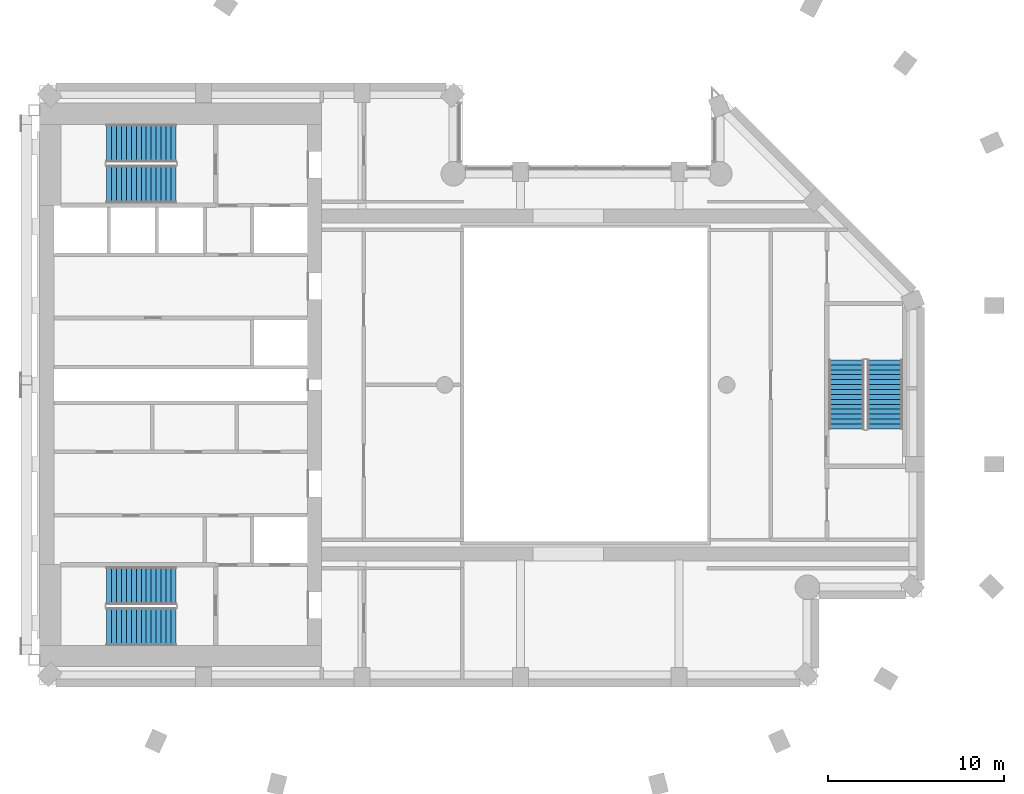
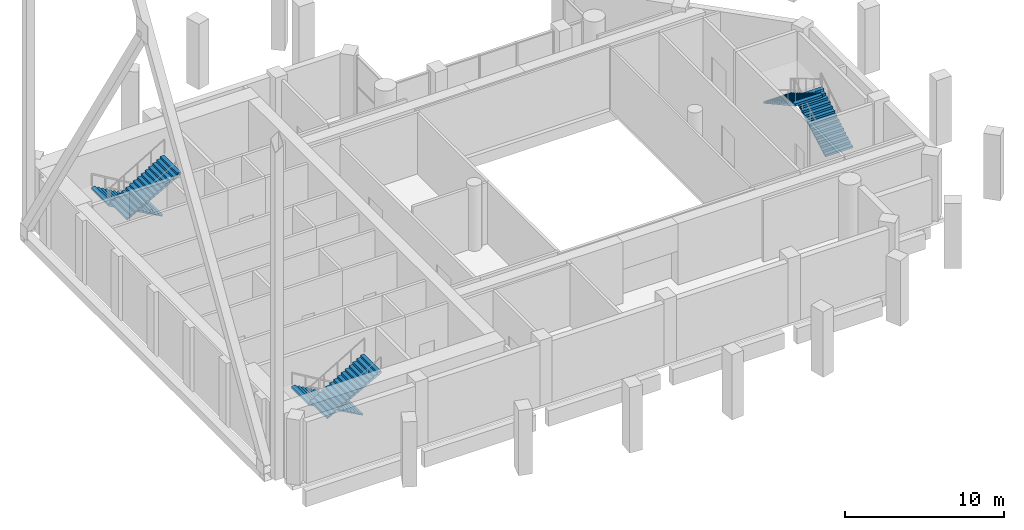
# One storey, part 9 of 12: 6 stair flights, 3 elements without a shape of their own.
"""IFC4 building model written with IfcOpenShell, lengths in metres."""

import ifcopenshell
import ifcopenshell.guid

model = None  # the IFC model being written
_history = None  # IfcOwnerHistory: only IFC2X3 demands one
_inside = {}  # id of a spatial element -> (the spatial element, [elements in it])
_under = {}  # id of a project, library or spatial element -> (it, [spatial elements below it])
_declared = {}  # id of a project -> (the project, [libraries it declares])
_typed = {}  # id of a type object -> (the type object, [elements of that type])
_made_of = {}  # id of a material, layer set ... -> (it, [elements and type objects made of it])


def new_model(schema):
    """Start an empty IFC model of exactly this schema.

    Asked for "IFC4X3", IfcOpenShell would pick the latest addendum, in which some entities
    have other attributes; the version numbers below select the first issue.
    IFC2X3 requires an IfcOwnerHistory on every rooted entity: one is made here for all.
    """
    global model, _history
    if schema == "IFC4X3":
        model = ifcopenshell.file(schema_version=(4, 3, 0, 0))
    else:
        model = ifcopenshell.file(schema=schema)
    _inside.clear()
    _under.clear()
    _declared.clear()
    _typed.clear()
    _made_of.clear()
    _history = None
    if model.schema == "IFC2X3":
        org = make("IfcOrganization", Name="unknown")
        user = make(
            "IfcPersonAndOrganization",
            ThePerson=make("IfcPerson", FamilyName="unknown"),
            TheOrganization=org,
        )
        app = make(
            "IfcApplication",
            ApplicationDeveloper=org,
            Version="unknown",
            ApplicationFullName="unknown",
            ApplicationIdentifier="unknown",
        )
        _history = make(
            "IfcOwnerHistory",
            OwningUser=user,
            OwningApplication=app,
            ChangeAction="ADDED",
            CreationDate=0,
        )
    return model


def make(cls, **values):
    """One entity of the class cls with the attributes given. An attribute that is None is left unset."""
    return model.create_entity(
        cls, **{name: value for name, value in values.items() if value is not None}
    )


def rooted(cls, **values):
    """An entity with a GlobalId (a new one), such as an element, a storey or a relation."""
    return make(cls, GlobalId=ifcopenshell.guid.new(), OwnerHistory=_history, **values)


def si_unit(unit_type, name, prefix=None):
    """IfcSIUnit, for example si_unit("LENGTHUNIT", "METRE", prefix="MILLI")."""
    return make("IfcSIUnit", UnitType=unit_type, Prefix=prefix, Name=name)


def assignment(units):
    """IfcUnitAssignment: the units of a project."""
    return None if units is None else make("IfcUnitAssignment", Units=units)


def point(xyz):
    """IfcCartesianPoint."""
    return None if xyz is None else make("IfcCartesianPoint", Coordinates=xyz)


def direction(xyz):
    """IfcDirection."""
    return None if xyz is None else make("IfcDirection", DirectionRatios=xyz)


def frame(location, z_axis=None, x_axis=None):
    """IfcAxis2Placement3D, a coordinate frame: its origin and axes. An axis left out is left unset."""
    return make(
        "IfcAxis2Placement3D",
        Location=point(location),
        Axis=direction(z_axis),
        RefDirection=direction(x_axis),
    )


def origin():
    """The frame at (0, 0, 0) with its axes left unset."""
    return frame((0.0, 0.0, 0.0))


def place(relative_to, where):
    """IfcLocalPlacement: puts the frame where relative to a parent placement (None: the world)."""
    return make(
        "IfcLocalPlacement", PlacementRelTo=relative_to, RelativePlacement=where
    )


def context(
    kind, dimensions, precision=None, world=None, true_north=None, identifier=None
):
    """IfcGeometricRepresentationContext, for example the 3D "Model" context."""
    return make(
        "IfcGeometricRepresentationContext",
        ContextIdentifier=identifier,
        ContextType=kind,
        CoordinateSpaceDimension=dimensions,
        Precision=precision,
        WorldCoordinateSystem=world,
        TrueNorth=true_north,
    )


def subcontext(parent, identifier, kind, view, scale=None):
    """IfcGeometricRepresentationSubContext, for example "Body" below "Model"."""
    return make(
        "IfcGeometricRepresentationSubContext",
        ContextIdentifier=identifier,
        ContextType=kind,
        ParentContext=parent,
        TargetScale=scale,
        TargetView=view,
    )


def project(units=None, contexts=None):
    """IfcProject with its units and contexts."""
    return rooted(
        "IfcProject",
        Name="project",
        RepresentationContexts=contexts,
        UnitsInContext=assignment(units),
    )


def spatial(cls, under=None, at=None, **own):
    """A site, building, storey or space (cls), placed at a placement, below another one or the project."""
    s = rooted(cls, ObjectPlacement=at, **own)
    if under is not None:
        _under.setdefault(under.id(), (under, []))[1].append(s)
    return s


def point_list(points):
    """IfcCartesianPointList2D or 3D."""
    cls = (
        "IfcCartesianPointList2D" if len(points[0]) == 2 else "IfcCartesianPointList3D"
    )
    return make(cls, CoordList=points)


def triangles(points, corners, closed=None, point_numbers=None):
    """IfcTriangulatedFaceSet: each triangle names its three corners, points numbered from 1."""
    return make(
        "IfcTriangulatedFaceSet",
        Coordinates=point_list(points),
        Closed=closed,
        CoordIndex=corners,
        PnIndex=point_numbers,
    )


def shape(context_of_items, identifier, shape_type, items):
    """IfcShapeRepresentation: the items that make up one representation, for example the "Body"."""
    return make(
        "IfcShapeRepresentation",
        ContextOfItems=context_of_items,
        RepresentationIdentifier=identifier,
        RepresentationType=shape_type,
        Items=items,
    )


def material(Name=None, Category=None):
    """IfcMaterial."""
    return make("IfcMaterial", Name=Name, Category=Category)


def made_of(thing, what):
    """Note that an element or type object is made of a material, layer set ...; save() writes the relation."""
    if what is not None:
        _made_of.setdefault(what.id(), (what, []))[1].append(thing)
    return thing


def type_object(cls, material=None, **own):
    """A type object (cls), such as IfcWallType, which elements share."""
    return made_of(rooted(cls, **own), material)


def element(
    cls,
    number,
    at=None,
    inside=None,
    cuts=None,
    type_object=None,
    material=None,
    context=None,
    identifier="Body",
    shape_type=None,
    held_by="IfcProductDefinitionShape",
    body=None,
    shapes=None,
    **own,
):
    """One element of the class cls, such as IfcWall. Its Tag is "e" and its number.

    at: its placement. inside: the storey or other place that contains it. cuts: it is an
    opening in that element (IfcRelVoidsElement). A single representation is given by context,
    identifier, shape_type and body (its items); several are given by shapes. held_by: the class
    of the entity that holds the representations. save() writes the other relations.
    """
    e = rooted(cls, Tag="e%d" % number, ObjectPlacement=at, **own)
    if body is not None:
        shapes = [shape(context, identifier, shape_type, body)]
    if shapes is not None:
        e.Representation = make(held_by, Representations=shapes)
    if inside is not None:
        _inside.setdefault(inside.id(), (inside, []))[1].append(e)
    if cuts is not None:
        rooted(
            "IfcRelVoidsElement", RelatingBuildingElement=cuts, RelatedOpeningElement=e
        )
    if type_object is not None:
        _typed.setdefault(type_object.id(), (type_object, []))[1].append(e)
    return made_of(e, material)


def aggregate(whole, parts):
    """IfcRelAggregates: a whole, such as a stair, and the parts it consists of."""
    return rooted("IfcRelAggregates", RelatingObject=whole, RelatedObjects=parts)


def save(model, path):
    """Write the relations noted so far, then the file.

    IfcRelAggregates (storeys below a building ...), IfcRelContainedInSpatialStructure (elements
    in a storey), IfcRelDefinesByType, IfcRelAssociatesMaterial and IfcRelDeclares: one each for
    every whole, place, type object, material and project.
    """
    for whole, parts in _under.values():
        aggregate(whole, parts)
    for where, things in _inside.values():
        rooted(
            "IfcRelContainedInSpatialStructure",
            RelatedElements=things,
            RelatingStructure=where,
        )
    for kind, things in _typed.values():
        rooted("IfcRelDefinesByType", RelatedObjects=things, RelatingType=kind)
    for what, things in _made_of.values():
        rooted("IfcRelAssociatesMaterial", RelatedObjects=things, RelatingMaterial=what)
    for by, libraries in _declared.values():
        rooted("IfcRelDeclares", RelatingContext=by, RelatedDefinitions=libraries)
    model.write(path)


model = new_model("IFC4")

# Units and contexts
model_context = context("Model", 3, precision=1e-05, world=origin(), true_north=direction((0.0, 1.0)))
body_context = subcontext(model_context, "Body", "Model", "MODEL_VIEW")
ifc_project = project(units=[si_unit("LENGTHUNIT", "METRE"), si_unit("AREAUNIT", "SQUARE_METRE"), si_unit("VOLUMEUNIT", "CUBIC_METRE"), si_unit("PLANEANGLEUNIT", "RADIAN"), si_unit("MASSUNIT", "GRAM", prefix="KILO")], contexts=[model_context])

# Site, building, storey
site_placement = place(None, origin())
site = spatial("IfcSite", under=ifc_project, at=site_placement, CompositionType="ELEMENT")
building_placement = place(site_placement, origin())
building = spatial("IfcBuilding", under=site, at=building_placement, Name="Cypress Arch Tower", CompositionType="ELEMENT")
storey_placement = place(building_placement, frame((0.0, 0.0, 238.39990234375)))
storey = spatial("IfcBuildingStorey", under=building, at=storey_placement, Name="L53", CompositionType="ELEMENT", Elevation=238.39990234375)

# Stair, stair flights
ifc_material_1 = material(Name="Concrete C40/50", Category="concrete")
stair_type_1 = type_object("IfcStairType", Name="Exit stair ES1667-200", PredefinedType="HALF_TURN_STAIR", material=ifc_material_1)
stair_1_placement = place(storey_placement, origin())
stair_1 = element("IfcStair", 1, at=stair_1_placement, inside=storey, type_object=stair_type_1, Name="L53 Exit stair C", PredefinedType="HALF_TURN_STAIR")
ifc_material_2 = material(Name="Concrete C40/50", Category="concrete")
stair_flight_type_1 = type_object("IfcStairFlightType", Name="Exit stair flight ES1667-200", PredefinedType="STRAIGHT", material=ifc_material_2)
stair_flight_1_placement = place(storey_placement, frame((18.0, -2.5, 0.0), z_axis=(0.0, 0.0, 1.0), x_axis=(0.0, 1.0, 0.0)))
stair_flight_1 = element("IfcStairFlight", 2, at=stair_flight_1_placement, type_object=stair_flight_type_1, Name="C flight 1", NumberOfRisers=15, NumberOfTreads=14, PredefinedType="STRAIGHT", RiserHeight=0.166666667, TreadLength=0.28, context=body_context, shape_type="Tessellation", body=[
    triangles([(0.0, -1.0, 0.0), (0.0, -1.0, 0.166748046875), (0.280029296875, -1.0, 0.166748046875), (0.280029296875, -1.0, 0.333251953125), (0.56005859375, -1.0, 0.333251953125), (0.56005859375, -1.0, 0.5), (0.840087890625, -1.0, 0.5), (0.840087890625, -1.0, 0.666748046875), (1.1201171875, -1.0, 0.666748046875), (1.1201171875, -1.0, 0.833251953125), (1.39990234375, -1.0, 0.833251953125), (1.39990234375, -1.0, 1.0), (1.679931640625, -1.0, 1.0), (1.679931640625, -1.0, 1.166748046875), (1.9599609375, -1.0, 1.166748046875), (1.9599609375, -1.0, 1.333251953125), (2.239990234375, -1.0, 1.333251953125), (2.239990234375, -1.0, 1.5), (2.52001953125, -1.0, 1.5), (2.52001953125, -1.0, 1.666748046875), (2.800048828125, -1.0, 1.666748046875), (2.800048828125, -1.0, 1.833251953125), (3.080078125, -1.0, 1.833251953125), (3.080078125, -1.0, 2.0), (3.360107421875, -1.0, 2.0), (3.360107421875, -1.0, 2.166748046875), (3.639892578125, -1.0, 2.166748046875), (3.639892578125, -1.0, 2.333251953125), (3.919921875, -1.0, 2.333251953125), (3.919921875, -1.0, 2.158935546875), (3.919921875, 1.0, 2.158935546875), (3.919921875, 1.0, 2.333251953125), (3.639892578125, 1.0, 2.333251953125), (3.639892578125, 1.0, 2.166748046875), (3.360107421875, 1.0, 2.166748046875), (3.360107421875, 1.0, 2.0), (3.080078125, 1.0, 2.0), (3.080078125, 1.0, 1.833251953125), (2.800048828125, 1.0, 1.833251953125), (2.800048828125, 1.0, 1.666748046875), (2.52001953125, 1.0, 1.666748046875), (2.52001953125, 1.0, 1.5), (2.239990234375, 1.0, 1.5), (2.239990234375, 1.0, 1.333251953125), (1.9599609375, 1.0, 1.333251953125), (1.9599609375, 1.0, 1.166748046875), (1.679931640625, 1.0, 1.166748046875), (1.679931640625, 1.0, 1.0), (1.39990234375, 1.0, 1.0), (1.39990234375, 1.0, 0.833251953125), (1.1201171875, 1.0, 0.833251953125), (1.1201171875, 1.0, 0.666748046875), (0.840087890625, 1.0, 0.666748046875), (0.840087890625, 1.0, 0.5), (0.56005859375, 1.0, 0.5), (0.56005859375, 1.0, 0.333251953125), (0.280029296875, 1.0, 0.333251953125), (0.280029296875, 1.0, 0.166748046875), (0.0, 1.0, 0.166748046875), (0.0, 1.0, 0.0)], [[30, 29, 28], [27, 26, 25], [25, 24, 23], [21, 20, 19], [19, 18, 17], [15, 14, 13], [13, 12, 11], [9, 8, 7], [7, 6, 5], [3, 2, 1], [11, 10, 9], [23, 22, 21], [17, 16, 15], [5, 4, 3], [30, 28, 27], [30, 27, 25], [30, 25, 23], [30, 23, 21], [30, 21, 19], [30, 19, 17], [30, 17, 15], [30, 15, 13], [30, 13, 11], [30, 11, 9], [30, 9, 7], [30, 7, 5], [1, 30, 5], [5, 3, 1], [31, 33, 32], [34, 36, 35], [36, 38, 37], [40, 42, 41], [42, 44, 43], [46, 48, 47], [48, 50, 49], [52, 54, 53], [54, 56, 55], [58, 60, 59], [50, 52, 51], [38, 40, 39], [44, 46, 45], [56, 58, 57], [31, 34, 33], [31, 36, 34], [31, 38, 36], [31, 40, 38], [31, 42, 40], [31, 44, 42], [31, 46, 44], [31, 48, 46], [31, 50, 48], [31, 52, 50], [31, 54, 52], [31, 56, 54], [60, 56, 31], [56, 60, 58], [31, 32, 29], [31, 29, 30], [32, 33, 28], [32, 28, 29], [33, 34, 27], [33, 27, 28], [34, 35, 26], [34, 26, 27], [35, 36, 25], [35, 25, 26], [36, 37, 24], [36, 24, 25], [37, 38, 23], [37, 23, 24], [38, 39, 22], [38, 22, 23], [39, 40, 21], [39, 21, 22], [40, 41, 20], [40, 20, 21], [41, 42, 19], [41, 19, 20], [42, 43, 18], [42, 18, 19], [43, 44, 17], [43, 17, 18], [44, 45, 16], [44, 16, 17], [45, 46, 15], [45, 15, 16], [46, 47, 14], [46, 14, 15], [47, 48, 13], [47, 13, 14], [48, 49, 12], [48, 12, 13], [49, 50, 11], [49, 11, 12], [50, 51, 10], [50, 10, 11], [51, 52, 9], [51, 9, 10], [52, 53, 8], [52, 8, 9], [53, 54, 7], [53, 7, 8], [54, 55, 6], [54, 6, 7], [55, 56, 5], [55, 5, 6], [56, 57, 4], [56, 4, 5], [57, 58, 3], [57, 3, 4], [58, 59, 2], [58, 2, 3], [59, 60, 1], [59, 1, 2], [60, 31, 30], [60, 30, 1]], closed=True),
])
stair_flight_2_placement = place(storey_placement, frame((15.800048828125, 1.419921875, 2.5), z_axis=(0.0, 0.0, 1.0), x_axis=(0.0, -1.0, 0.0)))
stair_flight_2 = element("IfcStairFlight", 3, at=stair_flight_2_placement, type_object=stair_flight_type_1, Name="C flight 2", NumberOfRisers=15, NumberOfTreads=14, PredefinedType="STRAIGHT", RiserHeight=0.166666667, TreadLength=0.28, context=body_context, shape_type="Tessellation", body=[
    triangles([(0.0, -1.0, 0.0), (0.0, -1.0, 0.166748046875), (0.280029296875, -1.0, 0.166748046875), (0.280029296875, -1.0, 0.333251953125), (0.56005859375, -1.0, 0.333251953125), (0.56005859375, -1.0, 0.5), (0.840087890625, -1.0, 0.5), (0.840087890625, -1.0, 0.666748046875), (1.1201171875, -1.0, 0.666748046875), (1.1201171875, -1.0, 0.833251953125), (1.39990234375, -1.0, 0.833251953125), (1.39990234375, -1.0, 1.0), (1.679931640625, -1.0, 1.0), (1.679931640625, -1.0, 1.166748046875), (1.9599609375, -1.0, 1.166748046875), (1.9599609375, -1.0, 1.333251953125), (2.239990234375, -1.0, 1.333251953125), (2.239990234375, -1.0, 1.5), (2.52001953125, -1.0, 1.5), (2.52001953125, -1.0, 1.666748046875), (2.800048828125, -1.0, 1.666748046875), (2.800048828125, -1.0, 1.833251953125), (3.080078125, -1.0, 1.833251953125), (3.080078125, -1.0, 2.0), (3.360107421875, -1.0, 2.0), (3.360107421875, -1.0, 2.166748046875), (3.639892578125, -1.0, 2.166748046875), (3.639892578125, -1.0, 2.333251953125), (3.919921875, -1.0, 2.333251953125), (3.919921875, -1.0, 2.158935546875), (3.919921875, 1.0, 2.158935546875), (3.919921875, 1.0, 2.333251953125), (3.639892578125, 1.0, 2.333251953125), (3.639892578125, 1.0, 2.166748046875), (3.360107421875, 1.0, 2.166748046875), (3.360107421875, 1.0, 2.0), (3.080078125, 1.0, 2.0), (3.080078125, 1.0, 1.833251953125), (2.800048828125, 1.0, 1.833251953125), (2.800048828125, 1.0, 1.666748046875), (2.52001953125, 1.0, 1.666748046875), (2.52001953125, 1.0, 1.5), (2.239990234375, 1.0, 1.5), (2.239990234375, 1.0, 1.333251953125), (1.9599609375, 1.0, 1.333251953125), (1.9599609375, 1.0, 1.166748046875), (1.679931640625, 1.0, 1.166748046875), (1.679931640625, 1.0, 1.0), (1.39990234375, 1.0, 1.0), (1.39990234375, 1.0, 0.833251953125), (1.1201171875, 1.0, 0.833251953125), (1.1201171875, 1.0, 0.666748046875), (0.840087890625, 1.0, 0.666748046875), (0.840087890625, 1.0, 0.5), (0.56005859375, 1.0, 0.5), (0.56005859375, 1.0, 0.333251953125), (0.280029296875, 1.0, 0.333251953125), (0.280029296875, 1.0, 0.166748046875), (0.0, 1.0, 0.166748046875), (0.0, 1.0, 0.0)], [[30, 29, 28], [27, 26, 25], [25, 24, 23], [21, 20, 19], [19, 18, 17], [15, 14, 13], [13, 12, 11], [9, 8, 7], [7, 6, 5], [3, 2, 1], [11, 10, 9], [23, 22, 21], [17, 16, 15], [5, 4, 3], [30, 28, 27], [30, 27, 25], [30, 25, 23], [30, 23, 21], [30, 21, 19], [30, 19, 17], [30, 17, 15], [30, 15, 13], [30, 13, 11], [30, 11, 9], [30, 9, 7], [30, 7, 5], [1, 30, 5], [5, 3, 1], [31, 33, 32], [34, 36, 35], [36, 38, 37], [40, 42, 41], [42, 44, 43], [46, 48, 47], [48, 50, 49], [52, 54, 53], [54, 56, 55], [58, 60, 59], [50, 52, 51], [38, 40, 39], [44, 46, 45], [56, 58, 57], [31, 34, 33], [31, 36, 34], [31, 38, 36], [31, 40, 38], [31, 42, 40], [31, 44, 42], [31, 46, 44], [31, 48, 46], [31, 50, 48], [31, 52, 50], [31, 54, 52], [31, 56, 54], [60, 56, 31], [56, 60, 58], [31, 32, 29], [31, 29, 30], [32, 33, 28], [32, 28, 29], [33, 34, 27], [33, 27, 28], [34, 35, 26], [34, 26, 27], [35, 36, 25], [35, 25, 26], [36, 37, 24], [36, 24, 25], [37, 38, 23], [37, 23, 24], [38, 39, 22], [38, 22, 23], [39, 40, 21], [39, 21, 22], [40, 41, 20], [40, 20, 21], [41, 42, 19], [41, 19, 20], [42, 43, 18], [42, 18, 19], [43, 44, 17], [43, 17, 18], [44, 45, 16], [44, 16, 17], [45, 46, 15], [45, 15, 16], [46, 47, 14], [46, 14, 15], [47, 48, 13], [47, 13, 14], [48, 49, 12], [48, 12, 13], [49, 50, 11], [49, 11, 12], [50, 51, 10], [50, 10, 11], [51, 52, 9], [51, 9, 10], [52, 53, 8], [52, 8, 9], [53, 54, 7], [53, 7, 8], [54, 55, 6], [54, 6, 7], [55, 56, 5], [55, 5, 6], [56, 57, 4], [56, 4, 5], [57, 58, 3], [57, 3, 4], [58, 59, 2], [58, 2, 3], [59, 60, 1], [59, 1, 2], [60, 31, 30], [60, 30, 1]], closed=True),
])
aggregate(stair_1, [stair_flight_1, stair_flight_2])

ifc_material_3 = material(Name="Concrete C40/50", Category="concrete")
stair_type_2 = type_object("IfcStairType", Name="Exit stair ES1667-215", PredefinedType="HALF_TURN_STAIR", material=ifc_material_3)
stair_2_placement = place(storey_placement, origin())
stair_2 = element("IfcStair", 4, at=stair_2_placement, inside=storey, type_object=stair_type_2, Name="L53 Exit stair A", PredefinedType="HALF_TURN_STAIR")
ifc_material_4 = material(Name="Concrete C40/50", Category="concrete")
stair_flight_type_2 = type_object("IfcStairFlightType", Name="Exit stair flight ES1667-215", PredefinedType="STRAIGHT", material=ifc_material_4)
stair_flight_3_placement = place(storey_placement, frame((-22.27490234375, -11.39990234375, 0.0), z_axis=(0.0, 0.0, 1.0), x_axis=(-1.0, 0.0, 0.0)))
stair_flight_3 = element("IfcStairFlight", 5, at=stair_flight_3_placement, type_object=stair_flight_type_2, Name="A flight 1", NumberOfRisers=15, NumberOfTreads=14, PredefinedType="STRAIGHT", RiserHeight=0.166666667, TreadLength=0.28, context=body_context, shape_type="Tessellation", body=[
    triangles([(0.0, -1.074951171875, 0.0), (0.00048828125, -1.074951171875, 0.0556640625), (0.00048828125, -1.074951171875, 0.111083984375), (0.0, -1.074951171875, 0.166748046875), (0.280029296875, -1.074951171875, 0.166748046875), (0.280029296875, -1.074951171875, 0.333251953125), (0.56005859375, -1.074951171875, 0.333251953125), (0.56005859375, -1.074951171875, 0.5), (0.840087890625, -1.074951171875, 0.5), (0.840087890625, -1.074951171875, 0.666748046875), (1.1201171875, -1.074951171875, 0.666748046875), (1.1201171875, -1.074951171875, 0.833251953125), (1.39990234375, -1.074951171875, 0.833251953125), (1.39990234375, -1.074951171875, 1.0), (1.679931640625, -1.074951171875, 1.0), (1.679931640625, -1.074951171875, 1.166748046875), (1.9599609375, -1.074951171875, 1.166748046875), (1.9599609375, -1.074951171875, 1.333251953125), (2.239990234375, -1.074951171875, 1.333251953125), (2.239990234375, -1.074951171875, 1.5), (2.52001953125, -1.074951171875, 1.5), (2.52001953125, -1.074951171875, 1.666748046875), (2.800048828125, -1.074951171875, 1.666748046875), (2.800048828125, -1.074951171875, 1.833251953125), (3.080078125, -1.074951171875, 1.833251953125), (3.080078125, -1.074951171875, 2.0), (3.360107421875, -1.074951171875, 2.0), (3.360107421875, -1.074951171875, 2.166748046875), (3.639892578125, -1.074951171875, 2.166748046875), (3.639892578125, -1.074951171875, 2.333251953125), (3.919921875, -1.074951171875, 2.333251953125), (3.91943359375, -1.074951171875, 2.275146484375), (3.91943359375, -1.074951171875, 2.217041015625), (3.919921875, -1.074951171875, 2.158935546875), (3.919921875, 1.074951171875, 2.158935546875), (3.91943359375, 1.074951171875, 2.217041015625), (3.91943359375, 1.074951171875, 2.275146484375), (3.919921875, 1.074951171875, 2.333251953125), (3.639892578125, 1.074951171875, 2.333251953125), (3.639892578125, 1.074951171875, 2.166748046875), (3.360107421875, 1.074951171875, 2.166748046875), (3.360107421875, 1.074951171875, 2.0), (3.080078125, 1.074951171875, 2.0), (3.080078125, 1.074951171875, 1.833251953125), (2.800048828125, 1.074951171875, 1.833251953125), (2.800048828125, 1.074951171875, 1.666748046875), (2.52001953125, 1.074951171875, 1.666748046875), (2.52001953125, 1.074951171875, 1.5), (2.239990234375, 1.074951171875, 1.5), (2.239990234375, 1.074951171875, 1.333251953125), (1.9599609375, 1.074951171875, 1.333251953125), (1.9599609375, 1.074951171875, 1.166748046875), (1.679931640625, 1.074951171875, 1.166748046875), (1.679931640625, 1.074951171875, 1.0), (1.39990234375, 1.074951171875, 1.0), (1.39990234375, 1.074951171875, 0.833251953125), (1.1201171875, 1.074951171875, 0.833251953125), (1.1201171875, 1.074951171875, 0.666748046875), (0.840087890625, 1.074951171875, 0.666748046875), (0.840087890625, 1.074951171875, 0.5), (0.56005859375, 1.074951171875, 0.5), (0.56005859375, 1.074951171875, 0.333251953125), (0.280029296875, 1.074951171875, 0.333251953125), (0.280029296875, 1.074951171875, 0.166748046875), (0.0, 1.074951171875, 0.166748046875), (0.00048828125, 1.074951171875, 0.111083984375), (0.00048828125, 1.074951171875, 0.0556640625), (0.0, 1.074951171875, 0.0)], [[34, 33, 30], [33, 32, 30], [32, 31, 30], [29, 28, 27], [27, 26, 25], [23, 22, 21], [21, 20, 19], [17, 16, 15], [15, 14, 13], [11, 10, 9], [9, 8, 7], [4, 3, 5], [3, 2, 5], [2, 1, 5], [13, 12, 11], [25, 24, 23], [19, 18, 17], [7, 6, 5], [34, 30, 29], [34, 29, 27], [34, 27, 25], [34, 25, 23], [34, 23, 21], [34, 21, 19], [34, 19, 17], [34, 17, 15], [34, 15, 13], [34, 13, 11], [34, 11, 9], [34, 9, 7], [1, 34, 7], [7, 5, 1], [35, 39, 36], [36, 39, 37], [37, 39, 38], [40, 42, 41], [42, 44, 43], [46, 48, 47], [48, 50, 49], [52, 54, 53], [54, 56, 55], [58, 60, 59], [60, 62, 61], [65, 64, 66], [66, 64, 67], [67, 64, 68], [56, 58, 57], [44, 46, 45], [50, 52, 51], [62, 64, 63], [35, 40, 39], [35, 42, 40], [35, 44, 42], [35, 46, 44], [35, 48, 46], [35, 50, 48], [35, 52, 50], [35, 54, 52], [35, 56, 54], [35, 58, 56], [35, 60, 58], [35, 62, 60], [68, 62, 35], [62, 68, 64], [35, 36, 33], [35, 33, 34], [36, 37, 32], [36, 32, 33], [37, 38, 31], [37, 31, 32], [38, 39, 30], [38, 30, 31], [39, 40, 29], [39, 29, 30], [40, 41, 28], [40, 28, 29], [41, 42, 27], [41, 27, 28], [42, 43, 26], [42, 26, 27], [43, 44, 25], [43, 25, 26], [44, 45, 24], [44, 24, 25], [45, 46, 23], [45, 23, 24], [46, 47, 22], [46, 22, 23], [47, 48, 21], [47, 21, 22], [48, 49, 20], [48, 20, 21], [49, 50, 19], [49, 19, 20], [50, 51, 18], [50, 18, 19], [51, 52, 17], [51, 17, 18], [52, 53, 16], [52, 16, 17], [53, 54, 15], [53, 15, 16], [54, 55, 14], [54, 14, 15], [55, 56, 13], [55, 13, 14], [56, 57, 12], [56, 12, 13], [57, 58, 11], [57, 11, 12], [58, 59, 10], [58, 10, 11], [59, 60, 9], [59, 9, 10], [60, 61, 8], [60, 8, 9], [61, 62, 7], [61, 7, 8], [62, 63, 6], [62, 6, 7], [63, 64, 5], [63, 5, 6], [64, 65, 4], [64, 4, 5], [65, 66, 3], [65, 3, 4], [66, 67, 2], [66, 2, 3], [67, 68, 1], [67, 1, 2], [68, 35, 34], [68, 34, 1]], closed=True),
])
stair_flight_4_placement = place(storey_placement, frame((-26.195068359375, -13.72509765625, 2.5), z_axis=(0.0, 0.0, 1.0), x_axis=(1.0, 0.0, 0.0)))
stair_flight_4 = element("IfcStairFlight", 6, at=stair_flight_4_placement, type_object=stair_flight_type_2, Name="A flight 2", NumberOfRisers=15, NumberOfTreads=14, PredefinedType="STRAIGHT", RiserHeight=0.166666667, TreadLength=0.28, context=body_context, shape_type="Tessellation", body=[
    triangles([(0.0, -1.074951171875, 0.0), (0.00048828125, -1.074951171875, 0.0556640625), (0.00048828125, -1.074951171875, 0.111083984375), (0.0, -1.074951171875, 0.166748046875), (0.280029296875, -1.074951171875, 0.166748046875), (0.280029296875, -1.074951171875, 0.333251953125), (0.56005859375, -1.074951171875, 0.333251953125), (0.56005859375, -1.074951171875, 0.5), (0.840087890625, -1.074951171875, 0.5), (0.840087890625, -1.074951171875, 0.666748046875), (1.1201171875, -1.074951171875, 0.666748046875), (1.1201171875, -1.074951171875, 0.833251953125), (1.39990234375, -1.074951171875, 0.833251953125), (1.39990234375, -1.074951171875, 1.0), (1.679931640625, -1.074951171875, 1.0), (1.679931640625, -1.074951171875, 1.166748046875), (1.9599609375, -1.074951171875, 1.166748046875), (1.9599609375, -1.074951171875, 1.333251953125), (2.239990234375, -1.074951171875, 1.333251953125), (2.239990234375, -1.074951171875, 1.5), (2.52001953125, -1.074951171875, 1.5), (2.52001953125, -1.074951171875, 1.666748046875), (2.800048828125, -1.074951171875, 1.666748046875), (2.800048828125, -1.074951171875, 1.833251953125), (3.080078125, -1.074951171875, 1.833251953125), (3.080078125, -1.074951171875, 2.0), (3.360107421875, -1.074951171875, 2.0), (3.360107421875, -1.074951171875, 2.166748046875), (3.639892578125, -1.074951171875, 2.166748046875), (3.639892578125, -1.074951171875, 2.333251953125), (3.919921875, -1.074951171875, 2.333251953125), (3.91943359375, -1.074951171875, 2.275146484375), (3.91943359375, -1.074951171875, 2.217041015625), (3.919921875, -1.074951171875, 2.158935546875), (3.919921875, 1.074951171875, 2.158935546875), (3.91943359375, 1.074951171875, 2.217041015625), (3.91943359375, 1.074951171875, 2.275146484375), (3.919921875, 1.074951171875, 2.333251953125), (3.639892578125, 1.074951171875, 2.333251953125), (3.639892578125, 1.074951171875, 2.166748046875), (3.360107421875, 1.074951171875, 2.166748046875), (3.360107421875, 1.074951171875, 2.0), (3.080078125, 1.074951171875, 2.0), (3.080078125, 1.074951171875, 1.833251953125), (2.800048828125, 1.074951171875, 1.833251953125), (2.800048828125, 1.074951171875, 1.666748046875), (2.52001953125, 1.074951171875, 1.666748046875), (2.52001953125, 1.074951171875, 1.5), (2.239990234375, 1.074951171875, 1.5), (2.239990234375, 1.074951171875, 1.333251953125), (1.9599609375, 1.074951171875, 1.333251953125), (1.9599609375, 1.074951171875, 1.166748046875), (1.679931640625, 1.074951171875, 1.166748046875), (1.679931640625, 1.074951171875, 1.0), (1.39990234375, 1.074951171875, 1.0), (1.39990234375, 1.074951171875, 0.833251953125), (1.1201171875, 1.074951171875, 0.833251953125), (1.1201171875, 1.074951171875, 0.666748046875), (0.840087890625, 1.074951171875, 0.666748046875), (0.840087890625, 1.074951171875, 0.5), (0.56005859375, 1.074951171875, 0.5), (0.56005859375, 1.074951171875, 0.333251953125), (0.280029296875, 1.074951171875, 0.333251953125), (0.280029296875, 1.074951171875, 0.166748046875), (0.0, 1.074951171875, 0.166748046875), (0.00048828125, 1.074951171875, 0.111083984375), (0.00048828125, 1.074951171875, 0.0556640625), (0.0, 1.074951171875, 0.0)], [[34, 33, 30], [33, 32, 30], [32, 31, 30], [29, 28, 27], [27, 26, 25], [23, 22, 21], [21, 20, 19], [17, 16, 15], [15, 14, 13], [11, 10, 9], [9, 8, 7], [4, 3, 5], [3, 2, 5], [2, 1, 5], [13, 12, 11], [25, 24, 23], [19, 18, 17], [7, 6, 5], [34, 30, 29], [34, 29, 27], [34, 27, 25], [34, 25, 23], [34, 23, 21], [34, 21, 19], [34, 19, 17], [34, 17, 15], [34, 15, 13], [34, 13, 11], [34, 11, 9], [34, 9, 7], [1, 34, 7], [7, 5, 1], [35, 39, 36], [36, 39, 37], [37, 39, 38], [40, 42, 41], [42, 44, 43], [46, 48, 47], [48, 50, 49], [52, 54, 53], [54, 56, 55], [58, 60, 59], [60, 62, 61], [65, 64, 66], [66, 64, 67], [67, 64, 68], [56, 58, 57], [44, 46, 45], [50, 52, 51], [62, 64, 63], [35, 40, 39], [35, 42, 40], [35, 44, 42], [35, 46, 44], [35, 48, 46], [35, 50, 48], [35, 52, 50], [35, 54, 52], [35, 56, 54], [35, 58, 56], [35, 60, 58], [35, 62, 60], [68, 62, 35], [62, 68, 64], [35, 36, 33], [35, 33, 34], [36, 37, 32], [36, 32, 33], [37, 38, 31], [37, 31, 32], [38, 39, 30], [38, 30, 31], [39, 40, 29], [39, 29, 30], [40, 41, 28], [40, 28, 29], [41, 42, 27], [41, 27, 28], [42, 43, 26], [42, 26, 27], [43, 44, 25], [43, 25, 26], [44, 45, 24], [44, 24, 25], [45, 46, 23], [45, 23, 24], [46, 47, 22], [46, 22, 23], [47, 48, 21], [47, 21, 22], [48, 49, 20], [48, 20, 21], [49, 50, 19], [49, 19, 20], [50, 51, 18], [50, 18, 19], [51, 52, 17], [51, 17, 18], [52, 53, 16], [52, 16, 17], [53, 54, 15], [53, 15, 16], [54, 55, 14], [54, 14, 15], [55, 56, 13], [55, 13, 14], [56, 57, 12], [56, 12, 13], [57, 58, 11], [57, 11, 12], [58, 59, 10], [58, 10, 11], [59, 60, 9], [59, 9, 10], [60, 61, 8], [60, 8, 9], [61, 62, 7], [61, 7, 8], [62, 63, 6], [62, 6, 7], [63, 64, 5], [63, 5, 6], [64, 65, 4], [64, 4, 5], [65, 66, 3], [65, 3, 4], [66, 67, 2], [66, 2, 3], [67, 68, 1], [67, 1, 2], [68, 35, 34], [68, 34, 1]], closed=True),
])
aggregate(stair_2, [stair_flight_3, stair_flight_4])

stair_3_placement = place(storey_placement, origin())
stair_3 = element("IfcStair", 7, at=stair_3_placement, inside=storey, type_object=stair_type_2, Name="L53 Exit stair B", PredefinedType="HALF_TURN_STAIR")
stair_flight_5_placement = place(storey_placement, frame((-22.27490234375, 13.72509765625, 0.0), z_axis=(0.0, 0.0, 1.0), x_axis=(-1.0, 0.0, 0.0)))
stair_flight_5 = element("IfcStairFlight", 8, at=stair_flight_5_placement, type_object=stair_flight_type_2, Name="B flight 1", NumberOfRisers=15, NumberOfTreads=14, PredefinedType="STRAIGHT", RiserHeight=0.166666667, TreadLength=0.28, context=body_context, shape_type="Tessellation", body=[
    triangles([(0.0, -1.074951171875, 0.0), (0.00048828125, -1.074951171875, 0.0556640625), (0.00048828125, -1.074951171875, 0.111083984375), (0.0, -1.074951171875, 0.166748046875), (0.280029296875, -1.074951171875, 0.166748046875), (0.280029296875, -1.074951171875, 0.333251953125), (0.56005859375, -1.074951171875, 0.333251953125), (0.56005859375, -1.074951171875, 0.5), (0.840087890625, -1.074951171875, 0.5), (0.840087890625, -1.074951171875, 0.666748046875), (1.1201171875, -1.074951171875, 0.666748046875), (1.1201171875, -1.074951171875, 0.833251953125), (1.39990234375, -1.074951171875, 0.833251953125), (1.39990234375, -1.074951171875, 1.0), (1.679931640625, -1.074951171875, 1.0), (1.679931640625, -1.074951171875, 1.166748046875), (1.9599609375, -1.074951171875, 1.166748046875), (1.9599609375, -1.074951171875, 1.333251953125), (2.239990234375, -1.074951171875, 1.333251953125), (2.239990234375, -1.074951171875, 1.5), (2.52001953125, -1.074951171875, 1.5), (2.52001953125, -1.074951171875, 1.666748046875), (2.800048828125, -1.074951171875, 1.666748046875), (2.800048828125, -1.074951171875, 1.833251953125), (3.080078125, -1.074951171875, 1.833251953125), (3.080078125, -1.074951171875, 2.0), (3.360107421875, -1.074951171875, 2.0), (3.360107421875, -1.074951171875, 2.166748046875), (3.639892578125, -1.074951171875, 2.166748046875), (3.639892578125, -1.074951171875, 2.333251953125), (3.919921875, -1.074951171875, 2.333251953125), (3.91943359375, -1.074951171875, 2.275146484375), (3.91943359375, -1.074951171875, 2.217041015625), (3.919921875, -1.074951171875, 2.158935546875), (3.919921875, 1.074951171875, 2.158935546875), (3.91943359375, 1.074951171875, 2.217041015625), (3.91943359375, 1.074951171875, 2.275146484375), (3.919921875, 1.074951171875, 2.333251953125), (3.639892578125, 1.074951171875, 2.333251953125), (3.639892578125, 1.074951171875, 2.166748046875), (3.360107421875, 1.074951171875, 2.166748046875), (3.360107421875, 1.074951171875, 2.0), (3.080078125, 1.074951171875, 2.0), (3.080078125, 1.074951171875, 1.833251953125), (2.800048828125, 1.074951171875, 1.833251953125), (2.800048828125, 1.074951171875, 1.666748046875), (2.52001953125, 1.074951171875, 1.666748046875), (2.52001953125, 1.074951171875, 1.5), (2.239990234375, 1.074951171875, 1.5), (2.239990234375, 1.074951171875, 1.333251953125), (1.9599609375, 1.074951171875, 1.333251953125), (1.9599609375, 1.074951171875, 1.166748046875), (1.679931640625, 1.074951171875, 1.166748046875), (1.679931640625, 1.074951171875, 1.0), (1.39990234375, 1.074951171875, 1.0), (1.39990234375, 1.074951171875, 0.833251953125), (1.1201171875, 1.074951171875, 0.833251953125), (1.1201171875, 1.074951171875, 0.666748046875), (0.840087890625, 1.074951171875, 0.666748046875), (0.840087890625, 1.074951171875, 0.5), (0.56005859375, 1.074951171875, 0.5), (0.56005859375, 1.074951171875, 0.333251953125), (0.280029296875, 1.074951171875, 0.333251953125), (0.280029296875, 1.074951171875, 0.166748046875), (0.0, 1.074951171875, 0.166748046875), (0.00048828125, 1.074951171875, 0.111083984375), (0.00048828125, 1.074951171875, 0.0556640625), (0.0, 1.074951171875, 0.0)], [[34, 33, 30], [33, 32, 30], [32, 31, 30], [29, 28, 27], [27, 26, 25], [23, 22, 21], [21, 20, 19], [17, 16, 15], [15, 14, 13], [11, 10, 9], [9, 8, 7], [4, 3, 5], [3, 2, 5], [2, 1, 5], [13, 12, 11], [25, 24, 23], [19, 18, 17], [7, 6, 5], [34, 30, 29], [34, 29, 27], [34, 27, 25], [34, 25, 23], [34, 23, 21], [34, 21, 19], [34, 19, 17], [34, 17, 15], [34, 15, 13], [34, 13, 11], [34, 11, 9], [34, 9, 7], [1, 34, 7], [7, 5, 1], [35, 39, 36], [36, 39, 37], [37, 39, 38], [40, 42, 41], [42, 44, 43], [46, 48, 47], [48, 50, 49], [52, 54, 53], [54, 56, 55], [58, 60, 59], [60, 62, 61], [65, 64, 66], [66, 64, 67], [67, 64, 68], [56, 58, 57], [44, 46, 45], [50, 52, 51], [62, 64, 63], [35, 40, 39], [35, 42, 40], [35, 44, 42], [35, 46, 44], [35, 48, 46], [35, 50, 48], [35, 52, 50], [35, 54, 52], [35, 56, 54], [35, 58, 56], [35, 60, 58], [35, 62, 60], [68, 62, 35], [62, 68, 64], [35, 36, 33], [35, 33, 34], [36, 37, 32], [36, 32, 33], [37, 38, 31], [37, 31, 32], [38, 39, 30], [38, 30, 31], [39, 40, 29], [39, 29, 30], [40, 41, 28], [40, 28, 29], [41, 42, 27], [41, 27, 28], [42, 43, 26], [42, 26, 27], [43, 44, 25], [43, 25, 26], [44, 45, 24], [44, 24, 25], [45, 46, 23], [45, 23, 24], [46, 47, 22], [46, 22, 23], [47, 48, 21], [47, 21, 22], [48, 49, 20], [48, 20, 21], [49, 50, 19], [49, 19, 20], [50, 51, 18], [50, 18, 19], [51, 52, 17], [51, 17, 18], [52, 53, 16], [52, 16, 17], [53, 54, 15], [53, 15, 16], [54, 55, 14], [54, 14, 15], [55, 56, 13], [55, 13, 14], [56, 57, 12], [56, 12, 13], [57, 58, 11], [57, 11, 12], [58, 59, 10], [58, 10, 11], [59, 60, 9], [59, 9, 10], [60, 61, 8], [60, 8, 9], [61, 62, 7], [61, 7, 8], [62, 63, 6], [62, 6, 7], [63, 64, 5], [63, 5, 6], [64, 65, 4], [64, 4, 5], [65, 66, 3], [65, 3, 4], [66, 67, 2], [66, 2, 3], [67, 68, 1], [67, 1, 2], [68, 35, 34], [68, 34, 1]], closed=True),
])
stair_flight_6_placement = place(storey_placement, frame((-26.195068359375, 11.39990234375, 2.5), z_axis=(0.0, 0.0, 1.0), x_axis=(1.0, 0.0, 0.0)))
stair_flight_6 = element("IfcStairFlight", 9, at=stair_flight_6_placement, type_object=stair_flight_type_2, Name="B flight 2", NumberOfRisers=15, NumberOfTreads=14, PredefinedType="STRAIGHT", RiserHeight=0.166666667, TreadLength=0.28, context=body_context, shape_type="Tessellation", body=[
    triangles([(0.0, -1.074951171875, 0.0), (0.00048828125, -1.074951171875, 0.0556640625), (0.00048828125, -1.074951171875, 0.111083984375), (0.0, -1.074951171875, 0.166748046875), (0.280029296875, -1.074951171875, 0.166748046875), (0.280029296875, -1.074951171875, 0.333251953125), (0.56005859375, -1.074951171875, 0.333251953125), (0.56005859375, -1.074951171875, 0.5), (0.840087890625, -1.074951171875, 0.5), (0.840087890625, -1.074951171875, 0.666748046875), (1.1201171875, -1.074951171875, 0.666748046875), (1.1201171875, -1.074951171875, 0.833251953125), (1.39990234375, -1.074951171875, 0.833251953125), (1.39990234375, -1.074951171875, 1.0), (1.679931640625, -1.074951171875, 1.0), (1.679931640625, -1.074951171875, 1.166748046875), (1.9599609375, -1.074951171875, 1.166748046875), (1.9599609375, -1.074951171875, 1.333251953125), (2.239990234375, -1.074951171875, 1.333251953125), (2.239990234375, -1.074951171875, 1.5), (2.52001953125, -1.074951171875, 1.5), (2.52001953125, -1.074951171875, 1.666748046875), (2.800048828125, -1.074951171875, 1.666748046875), (2.800048828125, -1.074951171875, 1.833251953125), (3.080078125, -1.074951171875, 1.833251953125), (3.080078125, -1.074951171875, 2.0), (3.360107421875, -1.074951171875, 2.0), (3.360107421875, -1.074951171875, 2.166748046875), (3.639892578125, -1.074951171875, 2.166748046875), (3.639892578125, -1.074951171875, 2.333251953125), (3.919921875, -1.074951171875, 2.333251953125), (3.91943359375, -1.074951171875, 2.275146484375), (3.91943359375, -1.074951171875, 2.217041015625), (3.919921875, -1.074951171875, 2.158935546875), (3.919921875, 1.074951171875, 2.158935546875), (3.91943359375, 1.074951171875, 2.217041015625), (3.91943359375, 1.074951171875, 2.275146484375), (3.919921875, 1.074951171875, 2.333251953125), (3.639892578125, 1.074951171875, 2.333251953125), (3.639892578125, 1.074951171875, 2.166748046875), (3.360107421875, 1.074951171875, 2.166748046875), (3.360107421875, 1.074951171875, 2.0), (3.080078125, 1.074951171875, 2.0), (3.080078125, 1.074951171875, 1.833251953125), (2.800048828125, 1.074951171875, 1.833251953125), (2.800048828125, 1.074951171875, 1.666748046875), (2.52001953125, 1.074951171875, 1.666748046875), (2.52001953125, 1.074951171875, 1.5), (2.239990234375, 1.074951171875, 1.5), (2.239990234375, 1.074951171875, 1.333251953125), (1.9599609375, 1.074951171875, 1.333251953125), (1.9599609375, 1.074951171875, 1.166748046875), (1.679931640625, 1.074951171875, 1.166748046875), (1.679931640625, 1.074951171875, 1.0), (1.39990234375, 1.074951171875, 1.0), (1.39990234375, 1.074951171875, 0.833251953125), (1.1201171875, 1.074951171875, 0.833251953125), (1.1201171875, 1.074951171875, 0.666748046875), (0.840087890625, 1.074951171875, 0.666748046875), (0.840087890625, 1.074951171875, 0.5), (0.56005859375, 1.074951171875, 0.5), (0.56005859375, 1.074951171875, 0.333251953125), (0.280029296875, 1.074951171875, 0.333251953125), (0.280029296875, 1.074951171875, 0.166748046875), (0.0, 1.074951171875, 0.166748046875), (0.00048828125, 1.074951171875, 0.111083984375), (0.00048828125, 1.074951171875, 0.0556640625), (0.0, 1.074951171875, 0.0)], [[34, 33, 30], [33, 32, 30], [32, 31, 30], [29, 28, 27], [27, 26, 25], [23, 22, 21], [21, 20, 19], [17, 16, 15], [15, 14, 13], [11, 10, 9], [9, 8, 7], [4, 3, 5], [3, 2, 5], [2, 1, 5], [13, 12, 11], [25, 24, 23], [19, 18, 17], [7, 6, 5], [34, 30, 29], [34, 29, 27], [34, 27, 25], [34, 25, 23], [34, 23, 21], [34, 21, 19], [34, 19, 17], [34, 17, 15], [34, 15, 13], [34, 13, 11], [34, 11, 9], [34, 9, 7], [1, 34, 7], [7, 5, 1], [35, 39, 36], [36, 39, 37], [37, 39, 38], [40, 42, 41], [42, 44, 43], [46, 48, 47], [48, 50, 49], [52, 54, 53], [54, 56, 55], [58, 60, 59], [60, 62, 61], [65, 64, 66], [66, 64, 67], [67, 64, 68], [56, 58, 57], [44, 46, 45], [50, 52, 51], [62, 64, 63], [35, 40, 39], [35, 42, 40], [35, 44, 42], [35, 46, 44], [35, 48, 46], [35, 50, 48], [35, 52, 50], [35, 54, 52], [35, 56, 54], [35, 58, 56], [35, 60, 58], [35, 62, 60], [68, 62, 35], [62, 68, 64], [35, 36, 33], [35, 33, 34], [36, 37, 32], [36, 32, 33], [37, 38, 31], [37, 31, 32], [38, 39, 30], [38, 30, 31], [39, 40, 29], [39, 29, 30], [40, 41, 28], [40, 28, 29], [41, 42, 27], [41, 27, 28], [42, 43, 26], [42, 26, 27], [43, 44, 25], [43, 25, 26], [44, 45, 24], [44, 24, 25], [45, 46, 23], [45, 23, 24], [46, 47, 22], [46, 22, 23], [47, 48, 21], [47, 21, 22], [48, 49, 20], [48, 20, 21], [49, 50, 19], [49, 19, 20], [50, 51, 18], [50, 18, 19], [51, 52, 17], [51, 17, 18], [52, 53, 16], [52, 16, 17], [53, 54, 15], [53, 15, 16], [54, 55, 14], [54, 14, 15], [55, 56, 13], [55, 13, 14], [56, 57, 12], [56, 12, 13], [57, 58, 11], [57, 11, 12], [58, 59, 10], [58, 10, 11], [59, 60, 9], [59, 9, 10], [60, 61, 8], [60, 8, 9], [61, 62, 7], [61, 7, 8], [62, 63, 6], [62, 6, 7], [63, 64, 5], [63, 5, 6], [64, 65, 4], [64, 4, 5], [65, 66, 3], [65, 3, 4], [66, 67, 2], [66, 2, 3], [67, 68, 1], [67, 1, 2], [68, 35, 34], [68, 34, 1]], closed=True),
])
aggregate(stair_3, [stair_flight_5, stair_flight_6])

save(model, "model.ifc")
